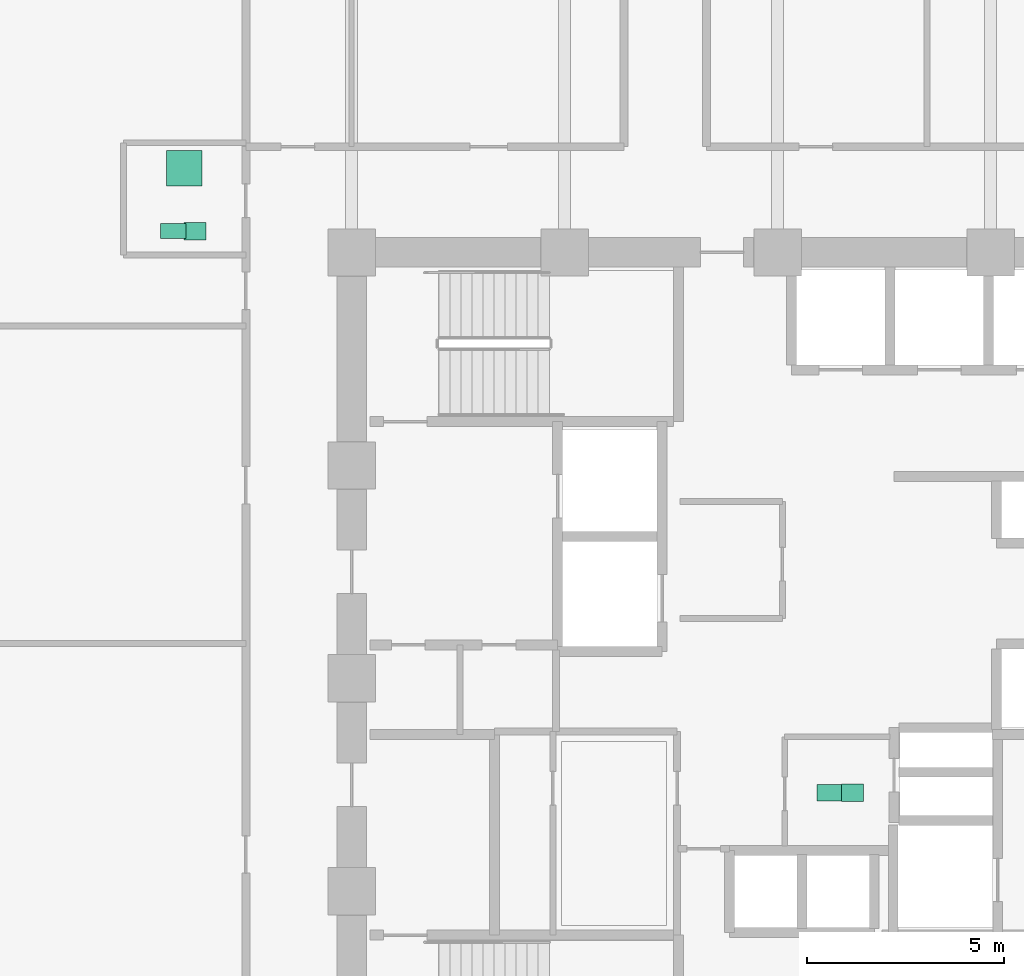
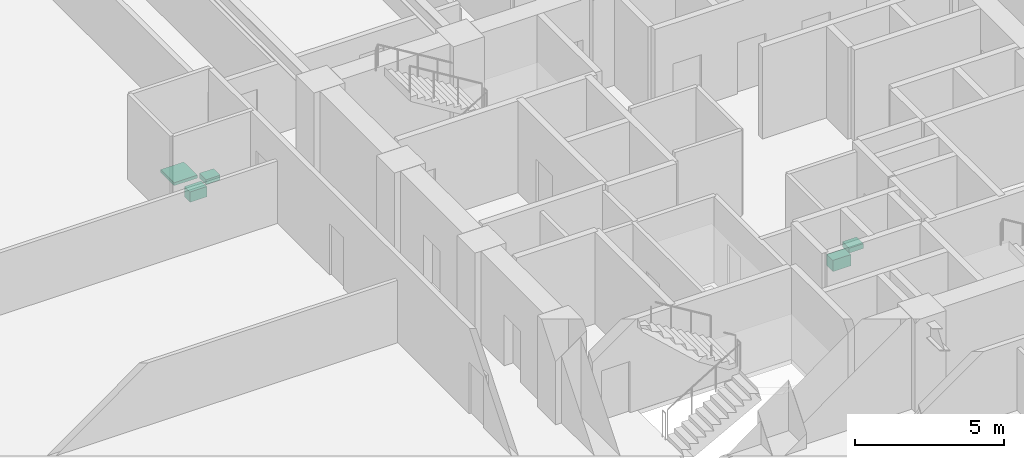
# One storey, part 26 of 26: 5 sanitary terminals.
"""IFC4 building model written with IfcOpenShell, lengths in metres."""

from ifc_helpers import new_model, si_unit, direction, frame, origin, origin_2d, place, context, subcontext, project, spatial, rectangle, extrude, material, type_object, element, save


model = new_model("IFC4")

# Units and contexts
model_context = context("Model", 3, precision=1e-05, world=origin(), true_north=direction((0.0, 1.0)))
body_context = subcontext(model_context, "Body", "Model", "MODEL_VIEW")
ifc_project = project(units=[si_unit("LENGTHUNIT", "METRE"), si_unit("AREAUNIT", "SQUARE_METRE"), si_unit("VOLUMEUNIT", "CUBIC_METRE"), si_unit("PLANEANGLEUNIT", "RADIAN"), si_unit("MASSUNIT", "GRAM", prefix="KILO")], contexts=[model_context])

# Site, building, storey
site_placement = place(None, origin())
site = spatial("IfcSite", under=ifc_project, at=site_placement, CompositionType="ELEMENT")
building_placement = place(site_placement, origin())
building = spatial("IfcBuilding", under=site, at=building_placement, Name="Surkhivell Harbour Commons", CompositionType="ELEMENT")
storey_placement = place(building_placement, frame((0.0, 0.0, 75.0)))
storey = spatial("IfcBuildingStorey", under=building, at=storey_placement, Name="L19", CompositionType="ELEMENT", Elevation=75.0)

# Sanitary terminals
ifc_material_1 = material(Name="Vitreous china washbasin", Category="other")
sanitary_terminal_type_1 = type_object("IfcSanitaryTerminalType", Name="SAN-BSN", PredefinedType="WASHHANDBASIN", material=ifc_material_1)
for number, where, z_axis, x_axis, name in (
    (1, (1.89990234375, -2.89990234375, 0.72021484375), (0.0, 0.0, 1.0), (1.0, 0.0, 0.0), "L19 Core Accessible WC Washbasin"),
    (2, (-14.77001953125, 11.340087890625, 0.72021484375), (0.0, 0.0, 1.0), (1.0, 0.0, 0.0), "L19 West Communal Bathroom WC Washbasin"),
):
    element("IfcSanitaryTerminal", number, at=place(storey_placement, frame(where, z_axis=z_axis, x_axis=x_axis)), inside=storey, type_object=sanitary_terminal_type_1, Name=name, PredefinedType="WASHHANDBASIN", context=body_context, shape_type="SweptSolid", body=[
        extrude(rectangle(XDim=0.550048828125, YDim=0.449951171875, at=origin_2d()), origin(), (0.0, 0.0, 1.0), 0.199951171875),
    ])
ifc_material_2 = material(Name="Glazed porcelain shower tray", Category="other")
sanitary_terminal_type_2 = type_object("IfcSanitaryTerminalType", Name="SAN-SHW", PredefinedType="SHOWER", material=ifc_material_2)
sanitary_terminal_1_placement = place(storey_placement, frame((-15.0400390625, 12.93994140625, 0.0), z_axis=(0.0, 0.0, 1.0), x_axis=(1.0, 0.0, 0.0)))
element("IfcSanitaryTerminal", 3, at=sanitary_terminal_1_placement, inside=storey, type_object=sanitary_terminal_type_2, Name="L19 West Communal Shower Tray", PredefinedType="SHOWER", context=body_context, shape_type="SweptSolid", body=[
    extrude(rectangle(XDim=0.89990234375, YDim=0.89990234375, at=origin_2d()), origin(), (0.0, 0.0, 1.0), 0.1201171875),
])
ifc_material_3 = material(Name="Vitreous china sanitaryware", Category="other")
sanitary_terminal_type_3 = type_object("IfcSanitaryTerminalType", Name="SAN-WC-ACC", PredefinedType="TOILETPAN", material=ifc_material_3)
sanitary_terminal_2_placement = place(storey_placement, frame((1.35009765625, -2.89990234375, 0.169921875), z_axis=(0.0, 0.0, 1.0), x_axis=(1.0, 0.0, 0.0)))
element("IfcSanitaryTerminal", 4, at=sanitary_terminal_2_placement, inside=storey, type_object=sanitary_terminal_type_3, Name="L19 Core Accessible WC", PredefinedType="TOILETPAN", context=body_context, shape_type="SweptSolid", body=[
    extrude(rectangle(XDim=0.699951171875, YDim=0.419921875, at=origin_2d()), origin(), (0.0, 0.0, 1.0), 0.4599609375),
])
sanitary_terminal_type_4 = type_object("IfcSanitaryTerminalType", Name="SAN-WC-STD", PredefinedType="TOILETPAN", material=ifc_material_3)
sanitary_terminal_3_placement = place(storey_placement, frame((-15.320068359375, 11.340087890625, 0.18994140625), z_axis=(0.0, 0.0, 1.0), x_axis=(1.0, 0.0, 0.0)))
element("IfcSanitaryTerminal", 5, at=sanitary_terminal_3_placement, inside=storey, type_object=sanitary_terminal_type_4, Name="L19 West Communal Bathroom WC", PredefinedType="TOILETPAN", context=body_context, shape_type="SweptSolid", body=[
    extrude(rectangle(XDim=0.64990234375, YDim=0.3798828125, at=origin_2d()), origin(), (0.0, 0.0, 1.0), 0.419921875),
])

save(model, "model.ifc")
